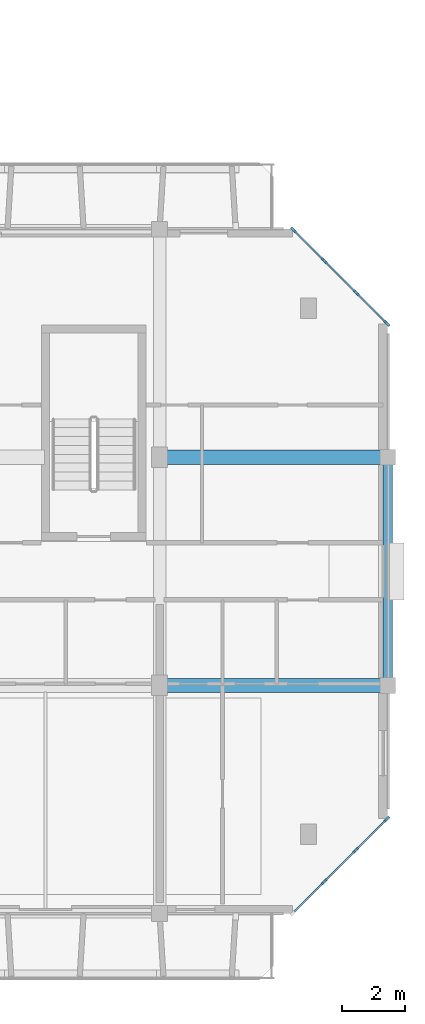
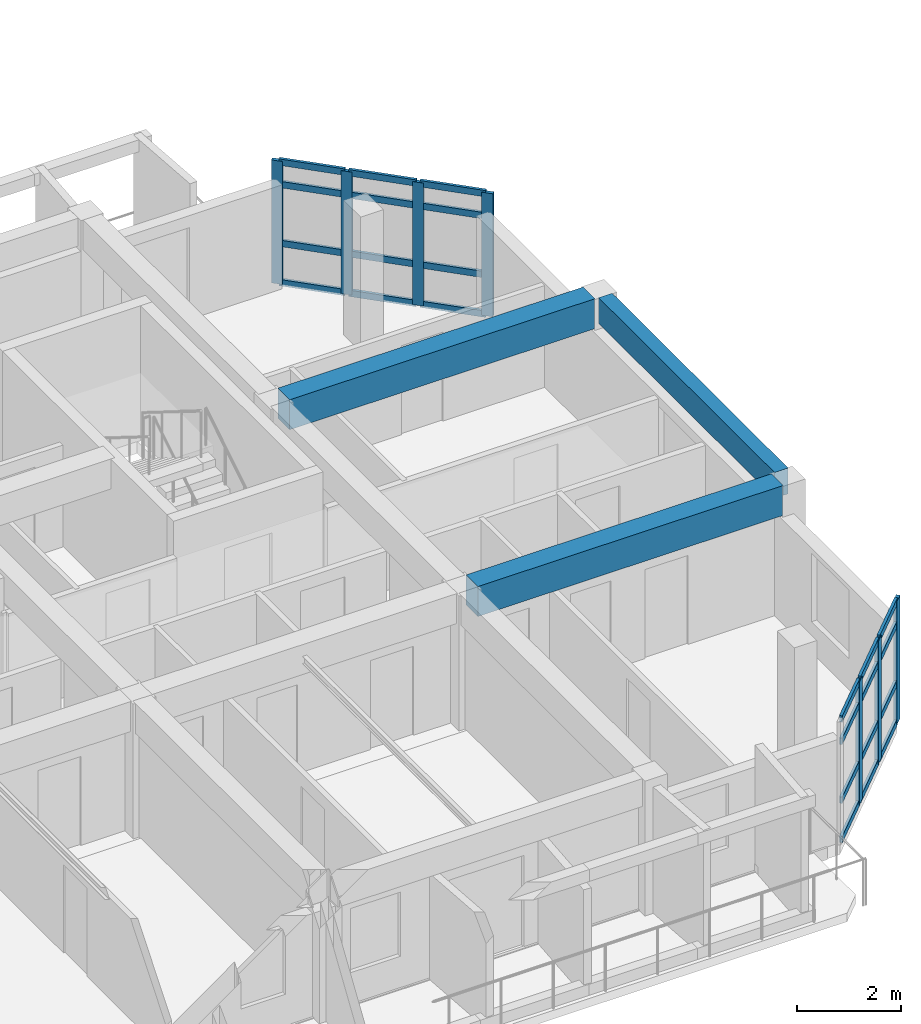
# One storey, part 8 of 44: 31 members, 3 beams, 2 elements without a shape of their own.
"""IFC4 building model written with IfcOpenShell, lengths in metres."""

from ifc_helpers import new_model, si_unit, direction, frame, origin, origin_2d, place, context, subcontext, project, spatial, rectangle, extrude, material, layer, layer_set, material_profile, profile_set, type_object, element, aggregate, save


model = new_model("IFC4")

# Units and contexts
model_context = context("Model", 3, precision=1e-05, world=origin(), true_north=direction((0.0, 1.0)))
body_context = subcontext(model_context, "Body", "Model", "MODEL_VIEW")
ifc_project = project(units=[si_unit("LENGTHUNIT", "METRE"), si_unit("AREAUNIT", "SQUARE_METRE"), si_unit("VOLUMEUNIT", "CUBIC_METRE"), si_unit("PLANEANGLEUNIT", "RADIAN"), si_unit("MASSUNIT", "GRAM", prefix="KILO")], contexts=[model_context])

# Site, building, storey
site_placement = place(None, origin())
site = spatial("IfcSite", under=ifc_project, at=site_placement, CompositionType="ELEMENT")
building_placement = place(site_placement, origin())
building = spatial("IfcBuilding", under=site, at=building_placement, Name="Ochrevale Crest", CompositionType="ELEMENT")
storey_placement = place(building_placement, frame((0.0, 0.0, 21.300048828125)))
storey = spatial("IfcBuildingStorey", under=building, at=storey_placement, Name="L06", CompositionType="ELEMENT", Elevation=21.300048828125)

# Beams
ifc_material_1 = material(Name="Concrete C50/60", Category="concrete")
ifc_material_profile_1 = material_profile(ifc_material_1, rectangle(XDim=0.449951171875, YDim=0.699951171875, at=origin_2d()), Name="RC 450x700")
ifc_profile_set_1 = profile_set([ifc_material_profile_1], Name="Concrete C50/60")
beam_type_1 = type_object("IfcBeamType", Name="BM-PG450x700", PredefinedType="USERDEFINED", material=ifc_profile_set_1)
for number, where, z_axis, x_axis, name in (
    (1, (158.625, 21.60009765625, 2.800048828125), (1.0, 0.0, 0.0), (0.0, 1.0, 0.0), "Block C L06 E-W beam Y=21.6"),
    (2, (158.625, 28.800048828125, 2.800048828125), (1.0, 0.0, 0.0), (0.0, 1.0, 0.0), "Block C L06 E-W beam Y=28.8"),
):
    element("IfcBeam", number, at=place(storey_placement, frame(where, z_axis=z_axis, x_axis=x_axis)), inside=storey, type_object=beam_type_1, Name=name, ObjectType="GIRDER", PredefinedType="USERDEFINED", context=body_context, shape_type="SweptSolid", body=[
        extrude(rectangle(XDim=0.449951171875, YDim=0.699951171875, at=origin_2d()), origin(), (0.0, 0.0, 1.0), 6.75),
    ])
ifc_material_2 = material(Name="Precast concrete C40/50", Category="concrete")
ifc_material_profile_2 = material_profile(ifc_material_2, rectangle(XDim=0.300048828125, YDim=0.60009765625, at=origin_2d()), Name="PC 300x600")
ifc_profile_set_2 = profile_set([ifc_material_profile_2], Name="Precast concrete C40/50")
beam_type_2 = type_object("IfcBeamType", Name="BM-SP300x600", PredefinedType="SPANDREL", material=ifc_profile_set_2)
beam_placement = place(storey_placement, frame((165.60009765625, 21.830078125, 2.849853515625), z_axis=(0.0, 1.0, 0.0), x_axis=(-1.0, 0.0, 0.0)))
element("IfcBeam", 3, at=beam_placement, inside=storey, type_object=beam_type_2, Name="Block C L06 N-S beam X=165.6", PredefinedType="SPANDREL", context=body_context, shape_type="SweptSolid", body=[
    extrude(rectangle(XDim=0.300048828125, YDim=0.60009765625, at=origin_2d()), origin(), (0.0, 0.0, 1.0), 6.739990234375),
])

# Curtain wall, members
ifc_material_3 = material(Name="Anodised aluminium 6063-T5", Category="aluminium")
ifc_layer_1 = layer(ifc_material_3, 0.14990234375)
ifc_layer_set_1 = layer_set([ifc_layer_1], Name="Anodised aluminium 6063-T5")
curtain_wall_type_1 = type_object("IfcCurtainWallType", Name="CW-WG-360x285", PredefinedType="NOTDEFINED", material=ifc_layer_set_1)
curtain_wall_1_placement = place(storey_placement, origin())
curtain_wall_1 = element("IfcCurtainWall", 4, at=curtain_wall_1_placement, inside=storey, type_object=curtain_wall_type_1, Name="Block C L06 chamfered corner wintergarden curtain wall 2", PredefinedType="NOTDEFINED")
ifc_material_profile_3 = material_profile(ifc_material_3, rectangle(XDim=0.074951171875, YDim=0.219970703125, at=origin_2d()), Name="ALU 75x220")
ifc_profile_set_3 = profile_set([ifc_material_profile_3], Name="Anodised aluminium 6063-T5")
member_type_1 = type_object("IfcMemberType", Name="CW-MUL-75x220", PredefinedType="MULLION", material=ifc_profile_set_3)
member_1_placement = place(storey_placement, frame((163.60009765625, 15.39990234375, 0.0), z_axis=(0.0, 0.0, 1.0), x_axis=(-0.707106781187, 0.707106781187, 0.0)))
member_1 = element("IfcMember", 5, at=member_1_placement, type_object=member_type_1, Name="CW18 mullion 2", PredefinedType="MULLION", context=body_context, shape_type="SweptSolid", body=[
    extrude(rectangle(XDim=0.074951171875, YDim=0.219970703125, at=origin_2d()), origin(), (0.0, 0.0, 1.0), 2.875),
])
member_2_placement = place(storey_placement, frame((164.60009765625, 16.39990234375, 0.0), z_axis=(0.0, 0.0, 1.0), x_axis=(-0.707106781187, 0.707106781187, 0.0)))
member_2 = element("IfcMember", 6, at=member_2_placement, type_object=member_type_1, Name="CW18 mullion 3", PredefinedType="MULLION", context=body_context, shape_type="SweptSolid", body=[
    extrude(rectangle(XDim=0.074951171875, YDim=0.219970703125, at=origin_2d()), origin(), (0.0, 0.0, 1.0), 2.875),
])
member_3_placement = place(storey_placement, frame((165.573486328125, 17.37353515625, 0.0), z_axis=(0.0, 0.0, 1.0), x_axis=(-0.707106781187, 0.707106781187, 0.0)))
member_3 = element("IfcMember", 7, at=member_3_placement, type_object=member_type_1, Name="CW18 mullion 4", PredefinedType="MULLION", context=body_context, shape_type="SweptSolid", body=[
    extrude(rectangle(XDim=0.074951171875, YDim=0.219970703125, at=origin_2d()), origin(), (0.0, 0.0, 1.0), 2.875),
])

ifc_layer_2 = layer(ifc_material_3, 0.14990234375)
ifc_layer_set_2 = layer_set([ifc_layer_2], Name="Anodised aluminium 6063-T5")
curtain_wall_type_2 = type_object("IfcCurtainWallType", Name="CW-WG-240x285", PredefinedType="NOTDEFINED", material=ifc_layer_set_2)
curtain_wall_2_placement = place(storey_placement, origin())
curtain_wall_2 = element("IfcCurtainWall", 8, at=curtain_wall_2_placement, inside=storey, type_object=curtain_wall_type_2, Name="Block C L06 chamfered corner wintergarden curtain wall 4", PredefinedType="NOTDEFINED")
member_4_placement = place(storey_placement, frame((165.573486328125, 33.026611328125, 0.0), z_axis=(0.0, 0.0, 1.0), x_axis=(-0.707106781187, -0.707106781187, 0.0)))
member_4 = element("IfcMember", 9, at=member_4_placement, type_object=member_type_1, Name="CW15 mullion 1", PredefinedType="MULLION", context=body_context, shape_type="SweptSolid", body=[
    extrude(rectangle(XDim=0.074951171875, YDim=0.219970703125, at=origin_2d()), origin(), (0.0, 0.0, 1.0), 2.875),
])
member_5_placement = place(storey_placement, frame((164.60009765625, 34.0, 0.0), z_axis=(0.0, 0.0, 1.0), x_axis=(-0.707106781187, -0.707106781187, 0.0)))
member_5 = element("IfcMember", 10, at=member_5_placement, type_object=member_type_1, Name="CW15 mullion 2", PredefinedType="MULLION", context=body_context, shape_type="SweptSolid", body=[
    extrude(rectangle(XDim=0.074951171875, YDim=0.219970703125, at=origin_2d()), origin(), (0.0, 0.0, 1.0), 2.875),
])
member_6_placement = place(storey_placement, frame((163.60009765625, 35.0, 0.0), z_axis=(0.0, 0.0, 1.0), x_axis=(-0.707106781187, -0.707106781187, 0.0)))
member_6 = element("IfcMember", 11, at=member_6_placement, type_object=member_type_1, Name="CW15 mullion 3", PredefinedType="MULLION", context=body_context, shape_type="SweptSolid", body=[
    extrude(rectangle(XDim=0.074951171875, YDim=0.219970703125, at=origin_2d()), origin(), (0.0, 0.0, 1.0), 2.875),
])
member_7_placement = place(storey_placement, frame((162.62646484375, 35.973388671875, 0.0), z_axis=(0.0, 0.0, 1.0), x_axis=(-0.707106781187, -0.707106781187, 0.0)))
member_7 = element("IfcMember", 12, at=member_7_placement, type_object=member_type_1, Name="CW15 mullion 4", PredefinedType="MULLION", context=body_context, shape_type="SweptSolid", body=[
    extrude(rectangle(XDim=0.074951171875, YDim=0.219970703125, at=origin_2d()), origin(), (0.0, 0.0, 1.0), 2.875),
])

# Member
ifc_material_profile_4 = material_profile(ifc_material_3, rectangle(XDim=0.06005859375, YDim=0.14990234375, at=origin_2d()), Name="ALU 60x150")
ifc_profile_set_4 = profile_set([ifc_material_profile_4], Name="Anodised aluminium 6063-T5")
member_type_2 = type_object("IfcMemberType", Name="CW-TRN-60x150", PredefinedType="USERDEFINED", material=ifc_profile_set_4)
member_8_placement = place(storey_placement, frame((162.653076171875, 14.453125, 0.030029296875), z_axis=(0.707106781187, 0.707106781187, 0.0), x_axis=(-0.707106781187, 0.707106781187, 0.0)))
member_8 = element("IfcMember", 13, at=member_8_placement, type_object=member_type_2, Name="CW18 transom 1.1", ObjectType="TRANSOM", PredefinedType="USERDEFINED", context=body_context, shape_type="SweptSolid", body=[
    extrude(rectangle(XDim=0.06005859375, YDim=0.14990234375, at=origin_2d()), origin(), (0.0, 0.0, 1.0), 1.3017578125),
])

member_9_placement = place(storey_placement, frame((162.653076171875, 14.453125, 0.949951171875), z_axis=(0.707106781187, 0.707106781187, 0.0), x_axis=(-0.707106781187, 0.707106781187, 0.0)))
member_9 = element("IfcMember", 14, at=member_9_placement, type_object=member_type_2, Name="CW18 transom 1.2", ObjectType="TRANSOM", PredefinedType="USERDEFINED", context=body_context, shape_type="SweptSolid", body=[
    extrude(rectangle(XDim=0.06005859375, YDim=0.14990234375, at=origin_2d()), origin(), (0.0, 0.0, 1.0), 1.3017578125),
])

member_10_placement = place(storey_placement, frame((162.653076171875, 14.453125, 2.324951171875), z_axis=(0.707106781187, 0.707106781187, 0.0), x_axis=(-0.707106781187, 0.707106781187, 0.0)))
member_10 = element("IfcMember", 15, at=member_10_placement, type_object=member_type_2, Name="CW18 transom 1.3", ObjectType="TRANSOM", PredefinedType="USERDEFINED", context=body_context, shape_type="SweptSolid", body=[
    extrude(rectangle(XDim=0.06005859375, YDim=0.14990234375, at=origin_2d()), origin(), (0.0, 0.0, 1.0), 1.3017578125),
])

member_11_placement = place(storey_placement, frame((162.653076171875, 14.453125, 2.844970703125), z_axis=(0.707106781187, 0.707106781187, 0.0), x_axis=(-0.707106781187, 0.707106781187, 0.0)))
member_11 = element("IfcMember", 16, at=member_11_placement, type_object=member_type_2, Name="CW18 transom 1.4", ObjectType="TRANSOM", PredefinedType="USERDEFINED", context=body_context, shape_type="SweptSolid", body=[
    extrude(rectangle(XDim=0.06005859375, YDim=0.14990234375, at=origin_2d()), origin(), (0.0, 0.0, 1.0), 1.3017578125),
])

member_12_placement = place(storey_placement, frame((163.62646484375, 15.426513671875, 0.030029296875), z_axis=(0.707106781187, 0.707106781187, 0.0), x_axis=(-0.707106781187, 0.707106781187, 0.0)))
member_12 = element("IfcMember", 17, at=member_12_placement, type_object=member_type_2, Name="CW18 transom 2.1", ObjectType="TRANSOM", PredefinedType="USERDEFINED", context=body_context, shape_type="SweptSolid", body=[
    extrude(rectangle(XDim=0.06005859375, YDim=0.14990234375, at=origin_2d()), origin(), (0.0, 0.0, 1.0), 1.33935546875),
])

member_13_placement = place(storey_placement, frame((163.62646484375, 15.426513671875, 0.949951171875), z_axis=(0.707106781187, 0.707106781187, 0.0), x_axis=(-0.707106781187, 0.707106781187, 0.0)))
member_13 = element("IfcMember", 18, at=member_13_placement, type_object=member_type_2, Name="CW18 transom 2.2", ObjectType="TRANSOM", PredefinedType="USERDEFINED", context=body_context, shape_type="SweptSolid", body=[
    extrude(rectangle(XDim=0.06005859375, YDim=0.14990234375, at=origin_2d()), origin(), (0.0, 0.0, 1.0), 1.33935546875),
])

member_14_placement = place(storey_placement, frame((163.62646484375, 15.426513671875, 2.324951171875), z_axis=(0.707106781187, 0.707106781187, 0.0), x_axis=(-0.707106781187, 0.707106781187, 0.0)))
member_14 = element("IfcMember", 19, at=member_14_placement, type_object=member_type_2, Name="CW18 transom 2.3", ObjectType="TRANSOM", PredefinedType="USERDEFINED", context=body_context, shape_type="SweptSolid", body=[
    extrude(rectangle(XDim=0.06005859375, YDim=0.14990234375, at=origin_2d()), origin(), (0.0, 0.0, 1.0), 1.33935546875),
])

member_15_placement = place(storey_placement, frame((163.62646484375, 15.426513671875, 2.844970703125), z_axis=(0.707106781187, 0.707106781187, 0.0), x_axis=(-0.707106781187, 0.707106781187, 0.0)))
member_15 = element("IfcMember", 20, at=member_15_placement, type_object=member_type_2, Name="CW18 transom 2.4", ObjectType="TRANSOM", PredefinedType="USERDEFINED", context=body_context, shape_type="SweptSolid", body=[
    extrude(rectangle(XDim=0.06005859375, YDim=0.14990234375, at=origin_2d()), origin(), (0.0, 0.0, 1.0), 1.33935546875),
])

member_16_placement = place(storey_placement, frame((164.62646484375, 16.426513671875, 0.030029296875), z_axis=(0.707106781187, 0.707106781187, 0.0), x_axis=(-0.707106781187, 0.707106781187, 0.0)))
member_16 = element("IfcMember", 21, at=member_16_placement, type_object=member_type_2, Name="CW18 transom 3.1", ObjectType="TRANSOM", PredefinedType="USERDEFINED", context=body_context, shape_type="SweptSolid", body=[
    extrude(rectangle(XDim=0.06005859375, YDim=0.14990234375, at=origin_2d()), origin(), (0.0, 0.0, 1.0), 1.3017578125),
])

member_17_placement = place(storey_placement, frame((164.62646484375, 16.426513671875, 0.949951171875), z_axis=(0.707106781187, 0.707106781187, 0.0), x_axis=(-0.707106781187, 0.707106781187, 0.0)))
member_17 = element("IfcMember", 22, at=member_17_placement, type_object=member_type_2, Name="CW18 transom 3.2", ObjectType="TRANSOM", PredefinedType="USERDEFINED", context=body_context, shape_type="SweptSolid", body=[
    extrude(rectangle(XDim=0.06005859375, YDim=0.14990234375, at=origin_2d()), origin(), (0.0, 0.0, 1.0), 1.3017578125),
])

member_18_placement = place(storey_placement, frame((164.62646484375, 16.426513671875, 2.324951171875), z_axis=(0.707106781187, 0.707106781187, 0.0), x_axis=(-0.707106781187, 0.707106781187, 0.0)))
member_18 = element("IfcMember", 23, at=member_18_placement, type_object=member_type_2, Name="CW18 transom 3.3", ObjectType="TRANSOM", PredefinedType="USERDEFINED", context=body_context, shape_type="SweptSolid", body=[
    extrude(rectangle(XDim=0.06005859375, YDim=0.14990234375, at=origin_2d()), origin(), (0.0, 0.0, 1.0), 1.3017578125),
])

member_19_placement = place(storey_placement, frame((164.62646484375, 16.426513671875, 2.844970703125), z_axis=(0.707106781187, 0.707106781187, 0.0), x_axis=(-0.707106781187, 0.707106781187, 0.0)))
member_19 = element("IfcMember", 24, at=member_19_placement, type_object=member_type_2, Name="CW18 transom 3.4", ObjectType="TRANSOM", PredefinedType="USERDEFINED", context=body_context, shape_type="SweptSolid", body=[
    extrude(rectangle(XDim=0.06005859375, YDim=0.14990234375, at=origin_2d()), origin(), (0.0, 0.0, 1.0), 1.3017578125),
])

aggregate(curtain_wall_1, [member_1, member_2, member_3, member_8, member_9, member_10, member_11, member_12, member_13, member_14, member_15, member_16, member_17, member_18, member_19])

member_20_placement = place(storey_placement, frame((165.546875, 33.052978515625, 0.030029296875), z_axis=(-0.707106781187, 0.707106781187, 0.0), x_axis=(-0.707106781187, -0.707106781187, 0.0)))
member_20 = element("IfcMember", 25, at=member_20_placement, type_object=member_type_2, Name="CW15 transom 1.1", ObjectType="TRANSOM", PredefinedType="USERDEFINED", context=body_context, shape_type="SweptSolid", body=[
    extrude(rectangle(XDim=0.06005859375, YDim=0.14990234375, at=origin_2d()), origin(), (0.0, 0.0, 1.0), 1.3017578125),
])

member_21_placement = place(storey_placement, frame((165.546875, 33.052978515625, 0.949951171875), z_axis=(-0.707106781187, 0.707106781187, 0.0), x_axis=(-0.707106781187, -0.707106781187, 0.0)))
member_21 = element("IfcMember", 26, at=member_21_placement, type_object=member_type_2, Name="CW15 transom 1.2", ObjectType="TRANSOM", PredefinedType="USERDEFINED", context=body_context, shape_type="SweptSolid", body=[
    extrude(rectangle(XDim=0.06005859375, YDim=0.14990234375, at=origin_2d()), origin(), (0.0, 0.0, 1.0), 1.3017578125),
])

member_22_placement = place(storey_placement, frame((165.546875, 33.052978515625, 2.324951171875), z_axis=(-0.707106781187, 0.707106781187, 0.0), x_axis=(-0.707106781187, -0.707106781187, 0.0)))
member_22 = element("IfcMember", 27, at=member_22_placement, type_object=member_type_2, Name="CW15 transom 1.3", ObjectType="TRANSOM", PredefinedType="USERDEFINED", context=body_context, shape_type="SweptSolid", body=[
    extrude(rectangle(XDim=0.06005859375, YDim=0.14990234375, at=origin_2d()), origin(), (0.0, 0.0, 1.0), 1.3017578125),
])

member_23_placement = place(storey_placement, frame((165.546875, 33.052978515625, 2.844970703125), z_axis=(-0.707106781187, 0.707106781187, 0.0), x_axis=(-0.707106781187, -0.707106781187, 0.0)))
member_23 = element("IfcMember", 28, at=member_23_placement, type_object=member_type_2, Name="CW15 transom 1.4", ObjectType="TRANSOM", PredefinedType="USERDEFINED", context=body_context, shape_type="SweptSolid", body=[
    extrude(rectangle(XDim=0.06005859375, YDim=0.14990234375, at=origin_2d()), origin(), (0.0, 0.0, 1.0), 1.3017578125),
])

member_24_placement = place(storey_placement, frame((164.573486328125, 34.026611328125, 0.030029296875), z_axis=(-0.707197932559, 0.707015618062, 0.0), x_axis=(-0.707015618062, -0.707197932559, 0.0)))
member_24 = element("IfcMember", 29, at=member_24_placement, type_object=member_type_2, Name="CW15 transom 2.1", ObjectType="TRANSOM", PredefinedType="USERDEFINED", context=body_context, shape_type="SweptSolid", body=[
    extrude(rectangle(XDim=0.06005859375, YDim=0.14990234375, at=origin_2d()), origin(), (0.0, 0.0, 1.0), 1.339111328125),
])

member_25_placement = place(storey_placement, frame((164.573486328125, 34.026611328125, 0.949951171875), z_axis=(-0.707197932559, 0.707015618062, 0.0), x_axis=(-0.707015618062, -0.707197932559, 0.0)))
member_25 = element("IfcMember", 30, at=member_25_placement, type_object=member_type_2, Name="CW15 transom 2.2", ObjectType="TRANSOM", PredefinedType="USERDEFINED", context=body_context, shape_type="SweptSolid", body=[
    extrude(rectangle(XDim=0.06005859375, YDim=0.14990234375, at=origin_2d()), origin(), (0.0, 0.0, 1.0), 1.339111328125),
])

member_26_placement = place(storey_placement, frame((164.573486328125, 34.026611328125, 2.324951171875), z_axis=(-0.707197932559, 0.707015618062, 0.0), x_axis=(-0.707015618062, -0.707197932559, 0.0)))
member_26 = element("IfcMember", 31, at=member_26_placement, type_object=member_type_2, Name="CW15 transom 2.3", ObjectType="TRANSOM", PredefinedType="USERDEFINED", context=body_context, shape_type="SweptSolid", body=[
    extrude(rectangle(XDim=0.06005859375, YDim=0.14990234375, at=origin_2d()), origin(), (0.0, 0.0, 1.0), 1.339111328125),
])

member_27_placement = place(storey_placement, frame((164.573486328125, 34.026611328125, 2.844970703125), z_axis=(-0.707197932559, 0.707015618062, 0.0), x_axis=(-0.707015618062, -0.707197932559, 0.0)))
member_27 = element("IfcMember", 32, at=member_27_placement, type_object=member_type_2, Name="CW15 transom 2.4", ObjectType="TRANSOM", PredefinedType="USERDEFINED", context=body_context, shape_type="SweptSolid", body=[
    extrude(rectangle(XDim=0.06005859375, YDim=0.14990234375, at=origin_2d()), origin(), (0.0, 0.0, 1.0), 1.339111328125),
])

member_28_placement = place(storey_placement, frame((163.573486328125, 35.026611328125, 0.030029296875), z_axis=(-0.707106781187, 0.707106781187, 0.0), x_axis=(-0.707106781187, -0.707106781187, 0.0)))
member_28 = element("IfcMember", 33, at=member_28_placement, type_object=member_type_2, Name="CW15 transom 3.1", ObjectType="TRANSOM", PredefinedType="USERDEFINED", context=body_context, shape_type="SweptSolid", body=[
    extrude(rectangle(XDim=0.06005859375, YDim=0.14990234375, at=origin_2d()), origin(), (0.0, 0.0, 1.0), 1.3017578125),
])

member_29_placement = place(storey_placement, frame((163.573486328125, 35.026611328125, 0.949951171875), z_axis=(-0.707106781187, 0.707106781187, 0.0), x_axis=(-0.707106781187, -0.707106781187, 0.0)))
member_29 = element("IfcMember", 34, at=member_29_placement, type_object=member_type_2, Name="CW15 transom 3.2", ObjectType="TRANSOM", PredefinedType="USERDEFINED", context=body_context, shape_type="SweptSolid", body=[
    extrude(rectangle(XDim=0.06005859375, YDim=0.14990234375, at=origin_2d()), origin(), (0.0, 0.0, 1.0), 1.3017578125),
])

member_30_placement = place(storey_placement, frame((163.573486328125, 35.026611328125, 2.324951171875), z_axis=(-0.707106781187, 0.707106781187, 0.0), x_axis=(-0.707106781187, -0.707106781187, 0.0)))
member_30 = element("IfcMember", 35, at=member_30_placement, type_object=member_type_2, Name="CW15 transom 3.3", ObjectType="TRANSOM", PredefinedType="USERDEFINED", context=body_context, shape_type="SweptSolid", body=[
    extrude(rectangle(XDim=0.06005859375, YDim=0.14990234375, at=origin_2d()), origin(), (0.0, 0.0, 1.0), 1.3017578125),
])

member_31_placement = place(storey_placement, frame((163.573486328125, 35.026611328125, 2.844970703125), z_axis=(-0.707106781187, 0.707106781187, 0.0), x_axis=(-0.707106781187, -0.707106781187, 0.0)))
member_31 = element("IfcMember", 36, at=member_31_placement, type_object=member_type_2, Name="CW15 transom 3.4", ObjectType="TRANSOM", PredefinedType="USERDEFINED", context=body_context, shape_type="SweptSolid", body=[
    extrude(rectangle(XDim=0.06005859375, YDim=0.14990234375, at=origin_2d()), origin(), (0.0, 0.0, 1.0), 1.3017578125),
])

aggregate(curtain_wall_2, [member_4, member_5, member_6, member_7, member_20, member_21, member_22, member_23, member_24, member_25, member_26, member_27, member_28, member_29, member_30, member_31])

save(model, "model.ifc")
